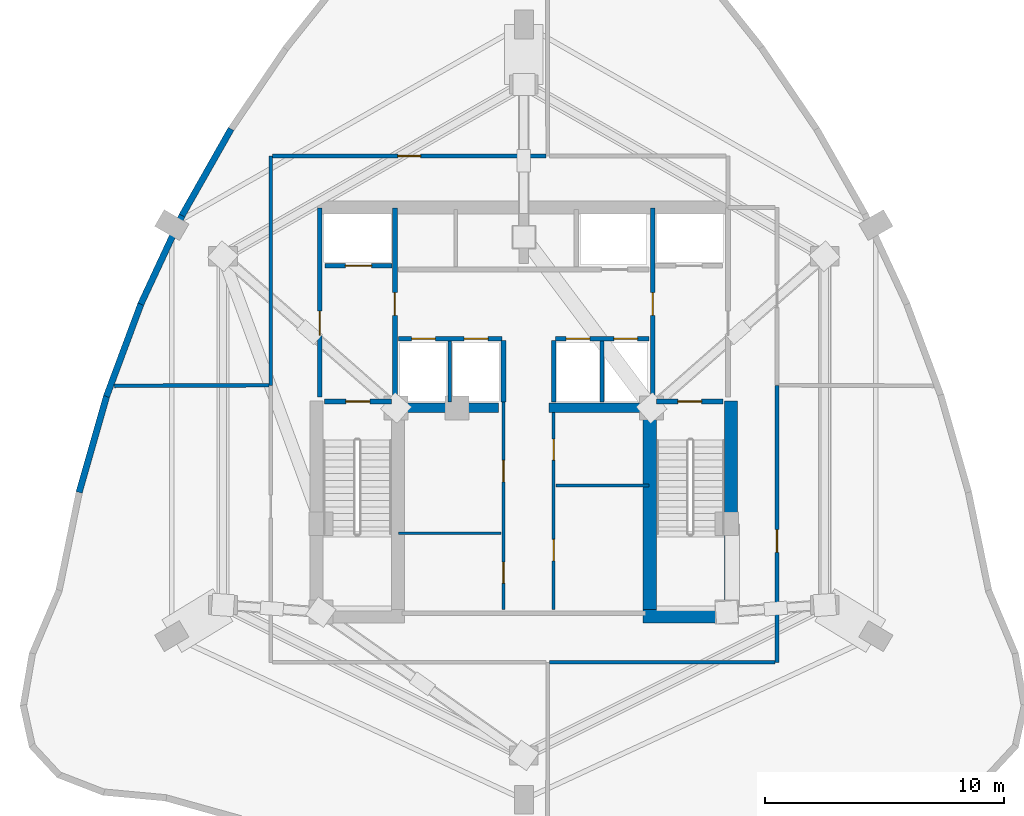
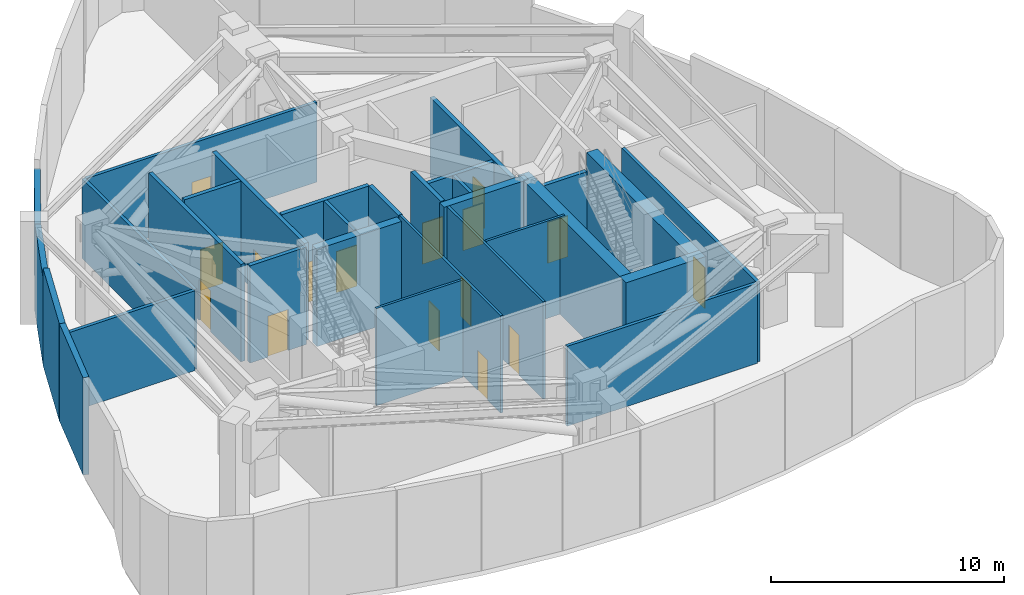
# One storey, part 3 of 5: 30 walls, 16 doors, 16 openings.
"""IFC4 building model written with IfcOpenShell, lengths in metres."""

from ifc_helpers import new_model, si_unit, direction, frame, frame_2d, origin, place, context, subcontext, project, spatial, rectangle, extrude, material, layer, layer_set, type_object, element, fill, save


model = new_model("IFC4")

# Units and contexts
model_context = context("Model", 3, precision=1e-05, world=origin(), true_north=direction((0.0, 1.0)))
body_context = subcontext(model_context, "Body", "Model", "MODEL_VIEW")
ifc_project = project(units=[si_unit("LENGTHUNIT", "METRE"), si_unit("AREAUNIT", "SQUARE_METRE"), si_unit("VOLUMEUNIT", "CUBIC_METRE"), si_unit("PLANEANGLEUNIT", "RADIAN"), si_unit("MASSUNIT", "GRAM", prefix="KILO")], contexts=[model_context])

# Site, building, storey
site_placement = place(None, origin())
site = spatial("IfcSite", under=ifc_project, at=site_placement, CompositionType="ELEMENT")
building_placement = place(site_placement, origin())
building = spatial("IfcBuilding", under=site, at=building_placement, Name="Miruveldt Soraemaru", CompositionType="ELEMENT")
storey_placement = place(building_placement, frame((0.0, 0.0, 184.39990234375)))
storey = spatial("IfcBuildingStorey", under=building, at=storey_placement, Name="L51", CompositionType="ELEMENT", Elevation=184.39990234375)

# Walls
ifc_material_1 = material(Name="Concrete C70/85 (70 MPa)", Category="concrete")
ifc_layer_1 = layer(ifc_material_1, 0.5, Name="Concrete C70/85 (70 MPa)", Category="concrete")
ifc_layer_set_1 = layer_set([ifc_layer_1], Name="Concrete C70/85 (70 MPa)")
wall_type_1 = type_object("IfcWallType", Name="WALL-BW-500", PredefinedType="SHEAR", material=ifc_layer_set_1)
for number, where, z_axis, x_axis, name in (
    (1, (38.75, 44.050048828125, 0.0), (0.0, 0.0, 1.0), (1.0, 0.0, 0.0), "L51 Core Buttress Shear Wall BW"),
    (2, (45.050048828125, 44.050048828125, 0.0), (0.0, 0.0, 1.0), (1.0, 0.0, 0.0), "L51 Core Buttress Shear Wall BE"),
):
    element("IfcWall", number, at=place(storey_placement, frame(where, z_axis=z_axis, x_axis=x_axis)), inside=storey, type_object=wall_type_1, Name=name, PredefinedType="SHEAR", context=body_context, shape_type="SweptSolid", body=[
        extrude(rectangle(XDim=4.199951171875, YDim=0.39990234375, at=frame_2d((2.10009765625, 0.0))), origin(), (0.0, 0.0, 1.0), 5.10009765625),
    ])
ifc_layer_2 = layer(ifc_material_1, 0.550048828125, Name="Concrete C70/85 (70 MPa)", Category="concrete")
ifc_layer_set_2 = layer_set([ifc_layer_2], Name="Concrete C70/85 (70 MPa)")
wall_type_2 = type_object("IfcWallType", Name="WALL-CW-550", PredefinedType="SHEAR", material=ifc_layer_set_2)
wall_1_placement = place(storey_placement, frame((49.0, 35.324951171875, 0.0), z_axis=(0.0, 0.0, 1.0), x_axis=(1.0, 0.0, 0.0)))
element("IfcWall", 3, at=wall_1_placement, inside=storey, type_object=wall_type_2, Name="L51 Central Core Shear Wall S2", PredefinedType="SHEAR", context=body_context, shape_type="SweptSolid", body=[
    extrude(rectangle(XDim=3.949951171875, YDim=0.550048828125, at=frame_2d((1.97509765625, 0.0))), origin(), (0.0, 0.0, 1.0), 5.10009765625),
])
wall_2_placement = place(storey_placement, frame((52.675048828125, 35.050048828125, 0.0), z_axis=(0.0, 0.0, 1.0), x_axis=(0.0, 1.0, 0.0)))
element("IfcWall", 4, at=wall_2_placement, inside=storey, type_object=wall_type_2, Name="L51 Central Core Shear Wall E1", PredefinedType="SHEAR", context=body_context, shape_type="SweptSolid", body=[
    extrude(rectangle(XDim=9.300048828125, YDim=0.550048828125, at=frame_2d((4.64990234375, 0.0))), origin(), (0.0, 0.0, 1.0), 5.10009765625),
])
wall_3_placement = place(storey_placement, frame((49.27490234375, 35.39990234375, 0.0), z_axis=(0.0, 0.0, 1.0), x_axis=(0.0, 1.0, 0.0)))
element("IfcWall", 5, at=wall_3_placement, inside=storey, type_object=wall_type_2, Name="L51 Central Core Shear Wall SE-INT", PredefinedType="SHEAR", context=body_context, shape_type="SweptSolid", body=[
    extrude(rectangle(XDim=8.9501953125, YDim=0.550048828125, at=frame_2d((4.47509765625, 0.0))), origin(), (0.0, 0.0, 1.0), 5.10009765625),
])
ifc_material_2 = material(Name="Precast concrete C45/55 (45 MPa)", Category="concrete")
ifc_layer_3 = layer(ifc_material_2, 0.27001953125, Name="Precast concrete C45/55 (45 MPa)", Category="concrete")
ifc_layer_set_3 = layer_set([ifc_layer_3], Name="Precast concrete C45/55 (45 MPa)")
wall_type_3 = type_object("IfcWallType", Name="WALL-EXT-PC270", PredefinedType="SOLIDWALL", material=ifc_layer_set_3)
wall_4_placement = place(storey_placement, frame((31.741943359375, 55.732421875, 0.0), z_axis=(0.0, 0.0, 1.0), x_axis=(-0.49336591454, -0.869821863585, 0.0)))
element("IfcWall", 6, at=wall_4_placement, inside=storey, type_object=wall_type_3, Name="L51 Precast Concrete Facade Wall 10", PredefinedType="SOLIDWALL", context=body_context, shape_type="SweptSolid", body=[
    extrude(rectangle(XDim=4.166015625, YDim=0.27001953125, at=frame_2d((2.0830078125, 0.0))), origin(), (0.0, 0.0, 1.0), 4.588134765625),
])
wall_5_placement = place(storey_placement, frame((29.71875, 52.170654296875, 0.0), z_axis=(0.0, 0.0, 1.0), x_axis=(-0.422336806268, -0.906438978681, 0.0)))
element("IfcWall", 7, at=wall_5_placement, inside=storey, type_object=wall_type_3, Name="L51 Precast Concrete Facade Wall 11", PredefinedType="SOLIDWALL", context=body_context, shape_type="SweptSolid", body=[
    extrude(rectangle(XDim=4.166259765625, YDim=0.27001953125, at=frame_2d((2.0830078125, 0.0))), origin(), (0.0, 0.0, 1.0), 4.588134765625),
])
wall_6_placement = place(storey_placement, frame((27.986083984375, 48.458740234375, 0.0), z_axis=(0.0, 0.0, 1.0), x_axis=(-0.349022784807, -0.937114238333, 0.0)))
element("IfcWall", 8, at=wall_6_placement, inside=storey, type_object=wall_type_3, Name="L51 Precast Concrete Facade Wall 12", PredefinedType="SOLIDWALL", context=body_context, shape_type="SweptSolid", body=[
    extrude(rectangle(XDim=4.192138671875, YDim=0.27001953125, at=frame_2d((2.09619140625, 0.0))), origin(), (0.0, 0.0, 1.0), 5.10009765625),
])
wall_7_placement = place(storey_placement, frame((26.544921875, 44.5966796875, 0.0), z_axis=(0.0, 0.0, 1.0), x_axis=(-0.274964238992, -0.961454454083, 0.0)))
element("IfcWall", 9, at=wall_7_placement, inside=storey, type_object=wall_type_3, Name="L51 Precast Concrete Facade Wall 13", PredefinedType="SOLIDWALL", context=body_context, shape_type="SweptSolid", body=[
    extrude(rectangle(XDim=4.244140625, YDim=0.27001953125, at=frame_2d((2.1220703125, 0.0))), origin(), (0.0, 0.0, 1.0), 5.10009765625),
])

# Wall, openings, doors
ifc_material_3 = material(Name="Gypsum plasterboard lining", Category="gypsum")
ifc_layer_4 = layer(ifc_material_3, 0.1201171875, Name="Gypsum plasterboard lining", Category="gypsum")
ifc_layer_set_4 = layer_set([ifc_layer_4], Name="Gypsum plasterboard lining")
wall_type_4 = type_object("IfcWallType", Name="WALL-INT-P120", PredefinedType="PARTITIONING", material=ifc_layer_set_4)
wall_8_placement = place(storey_placement, frame((43.14990234375, 35.60009765625, 0.0), z_axis=(0.0, 0.0, 1.0), x_axis=(0.0, 1.0, 0.0)))
wall_8 = element("IfcWall", 10, at=wall_8_placement, inside=storey, type_object=wall_type_4, Name="L51 Core Compartment Wall SP-WL", PredefinedType="PARTITIONING", context=body_context, shape_type="SweptSolid", body=[
    extrude(rectangle(XDim=8.699951171875, YDim=0.1201171875, at=frame_2d((4.35009765625, 0.0))), origin(), (0.0, 0.0, 1.0), 5.10009765625),
])
opening_1_placement = place(wall_8_placement, frame((1.110107421875, 0.0, 0.0)))
opening_1 = element("IfcOpeningElement", 11, at=opening_1_placement, cuts=wall_8, Name="Opening D4", PredefinedType="OPENING", context=body_context, shape_type="SweptSolid", body=[
    extrude(rectangle(XDim=0.8798828125, YDim=2.10009765625, at=frame_2d((0.43994140625, 1.050048828125))), frame((0.0, 0.070068359375, 0.0), z_axis=(0.0, -1.0, 0.0), x_axis=(1.0, 0.0, 0.0)), (0.0, 0.0, 1.0), 0.14013671875),
])
opening_2_placement = place(wall_8_placement, frame((5.35009765625, 0.0, 0.0)))
opening_2 = element("IfcOpeningElement", 12, at=opening_2_placement, cuts=wall_8, Name="Opening D3", PredefinedType="OPENING", context=body_context, shape_type="SweptSolid", body=[
    extrude(rectangle(XDim=0.89990234375, YDim=2.10009765625, at=frame_2d((0.449951171875, 1.050048828125))), frame((0.0, 0.070068359375, 0.0), z_axis=(0.0, -1.0, 0.0), x_axis=(1.0, 0.0, 0.0)), (0.0, 0.0, 1.0), 0.14013671875),
])
ifc_material_4 = material(Name="Anodised aluminium EN AW-6063 T6", Category="aluminium")
door_type_1 = type_object("IfcDoorType", Name="DOOR-INT-880", OperationType="NOTDEFINED", PredefinedType="DOOR", material=ifc_material_4)
door_1_placement = place(opening_1_placement, origin())
door_1 = element("IfcDoor", 13, at=door_1_placement, inside=storey, type_object=door_type_1, Name="L51 Fire Door", OperationType="SINGLE_SWING_LEFT", OverallHeight=2.10009765625, OverallWidth=0.8798828125, PredefinedType="DOOR", context=body_context, shape_type="SweptSolid", body=[
    extrude(rectangle(XDim=0.8798828125, YDim=2.10009765625, at=frame_2d((0.43994140625, 1.050048828125))), frame((0.0, 0.02490234375, 0.0), z_axis=(0.0, -1.0, 0.0), x_axis=(1.0, 0.0, 0.0)), (0.0, 0.0, 1.0), 0.050048828125),
])
fill(opening_1, door_1)
door_type_2 = type_object("IfcDoorType", Name="DOOR-INT-900", OperationType="NOTDEFINED", PredefinedType="DOOR", material=ifc_material_4)
door_2_placement = place(opening_2_placement, origin())
door_2 = element("IfcDoor", 14, at=door_2_placement, inside=storey, type_object=door_type_2, Name="L51 Fire Door", OperationType="SINGLE_SWING_LEFT", OverallHeight=2.10009765625, OverallWidth=0.89990234375, PredefinedType="DOOR", context=body_context, shape_type="SweptSolid", body=[
    extrude(rectangle(XDim=0.89990234375, YDim=2.10009765625, at=frame_2d((0.449951171875, 1.050048828125))), frame((0.0, 0.02490234375, 0.0), z_axis=(0.0, -1.0, 0.0), x_axis=(1.0, 0.0, 0.0)), (0.0, 0.0, 1.0), 0.050048828125),
])
fill(opening_2, door_2)

wall_9_placement = place(storey_placement, frame((45.25, 35.60009765625, 0.0), z_axis=(0.0, 0.0, 1.0), x_axis=(0.0, 1.0, 0.0)))
wall_9 = element("IfcWall", 15, at=wall_9_placement, inside=storey, type_object=wall_type_4, Name="L51 Core Compartment Wall SP-EL", PredefinedType="PARTITIONING", context=body_context, shape_type="SweptSolid", body=[
    extrude(rectangle(XDim=8.25, YDim=0.1201171875, at=frame_2d((4.125, 0.0))), origin(), (0.0, 0.0, 1.0), 5.10009765625),
])
opening_3_placement = place(wall_9_placement, frame((2.050048828125, 0.0, 0.0)))
opening_3 = element("IfcOpeningElement", 16, at=opening_3_placement, cuts=wall_9, Name="Opening D3", PredefinedType="OPENING", context=body_context, shape_type="SweptSolid", body=[
    extrude(rectangle(XDim=0.89990234375, YDim=2.10009765625, at=frame_2d((0.449951171875, 1.050048828125))), frame((0.0, 0.070068359375, 0.0), z_axis=(0.0, -1.0, 0.0), x_axis=(1.0, 0.0, 0.0)), (0.0, 0.0, 1.0), 0.14013671875),
])
opening_4_placement = place(wall_9_placement, frame((6.260009765625, 0.0, 0.0)))
opening_4 = element("IfcOpeningElement", 17, at=opening_4_placement, cuts=wall_9, Name="Opening D4", PredefinedType="OPENING", context=body_context, shape_type="SweptSolid", body=[
    extrude(rectangle(XDim=0.8798828125, YDim=2.10009765625, at=frame_2d((0.43994140625, 1.050048828125))), frame((0.0, 0.070068359375, 0.0), z_axis=(0.0, -1.0, 0.0), x_axis=(1.0, 0.0, 0.0)), (0.0, 0.0, 1.0), 0.14013671875),
])
door_3_placement = place(opening_4_placement, origin())
door_3 = element("IfcDoor", 18, at=door_3_placement, inside=storey, type_object=door_type_1, Name="L51 Fire Door", OperationType="SINGLE_SWING_LEFT", OverallHeight=2.10009765625, OverallWidth=0.8798828125, PredefinedType="DOOR", context=body_context, shape_type="SweptSolid", body=[
    extrude(rectangle(XDim=0.8798828125, YDim=2.10009765625, at=frame_2d((0.43994140625, 1.050048828125))), frame((0.0, 0.02490234375, 0.0), z_axis=(0.0, -1.0, 0.0), x_axis=(1.0, 0.0, 0.0)), (0.0, 0.0, 1.0), 0.050048828125),
])
fill(opening_4, door_3)
door_4_placement = place(opening_3_placement, origin())
door_4 = element("IfcDoor", 19, at=door_4_placement, inside=storey, type_object=door_type_2, Name="L51 Fire Door", OperationType="SINGLE_SWING_LEFT", OverallHeight=2.10009765625, OverallWidth=0.89990234375, PredefinedType="DOOR", context=body_context, shape_type="SweptSolid", body=[
    extrude(rectangle(XDim=0.89990234375, YDim=2.10009765625, at=frame_2d((0.449951171875, 1.050048828125))), frame((0.0, 0.02490234375, 0.0), z_axis=(0.0, -1.0, 0.0), x_axis=(1.0, 0.0, 0.0)), (0.0, 0.0, 1.0), 0.050048828125),
])
fill(opening_3, door_4)

# Walls
wall_10_placement = place(storey_placement, frame((38.75, 38.800048828125, 0.0), z_axis=(0.0, 0.0, 1.0), x_axis=(1.0, 0.0, 0.0)))
element("IfcWall", 20, at=wall_10_placement, inside=storey, type_object=wall_type_4, Name="L51 Core Compartment Wall RL-W2H", PredefinedType="PARTITIONING", context=body_context, shape_type="SweptSolid", body=[
    extrude(rectangle(XDim=4.300048828125, YDim=0.1201171875, at=frame_2d((2.14990234375, 0.0))), origin(), (0.0, 0.0, 1.0), 5.10009765625),
])
wall_11_placement = place(storey_placement, frame((45.35009765625, 40.800048828125, 0.0), z_axis=(0.0, 0.0, 1.0), x_axis=(1.0, 0.0, 0.0)))
element("IfcWall", 21, at=wall_11_placement, inside=storey, type_object=wall_type_4, Name="L51 Core Compartment Wall RL-E2H", PredefinedType="PARTITIONING", context=body_context, shape_type="SweptSolid", body=[
    extrude(rectangle(XDim=3.89990234375, YDim=0.1201171875, at=frame_2d((1.949951171875, 0.0))), origin(), (0.0, 0.0, 1.0), 5.10009765625),
])

# Wall, opening, door
ifc_material_5 = material(Name="Concrete C40/50 (40 MPa)", Category="concrete")
ifc_layer_5 = layer(ifc_material_5, 0.159912109375, Name="Concrete C40/50 (40 MPa)", Category="concrete")
ifc_layer_set_5 = layer_set([ifc_layer_5], Name="Concrete C40/50 (40 MPa)")
wall_type_5 = type_object("IfcWallType", Name="WALL-INT-RC160", PredefinedType="SOLIDWALL", material=ifc_layer_set_5)
wall_12_placement = place(storey_placement, frame((54.60009765625, 33.39990234375, 0.0), z_axis=(0.0, 0.0, 1.0), x_axis=(0.0, 1.0, 0.0)))
wall_12 = element("IfcWall", 22, at=wall_12_placement, inside=storey, type_object=wall_type_5, Name="L51 Partition Wall 4", PredefinedType="SOLIDWALL", context=body_context, shape_type="SweptSolid", body=[
    extrude(rectangle(XDim=11.60009765625, YDim=0.159912109375, at=frame_2d((5.800048828125, 0.0))), origin(), (0.0, 0.0, 1.0), 4.18798828125),
])
opening_5_placement = place(wall_12_placement, frame((4.60498046875, 0.0, 0.0)))
opening_5 = element("IfcOpeningElement", 23, at=opening_5_placement, cuts=wall_12, Name="Opening FD2", PredefinedType="OPENING", context=body_context, shape_type="SweptSolid", body=[
    extrude(rectangle(XDim=0.949951171875, YDim=2.14990234375, at=frame_2d((0.47509765625, 1.074951171875))), frame((0.0, 0.08984375, 0.0), z_axis=(0.0, -1.0, 0.0), x_axis=(1.0, 0.0, 0.0)), (0.0, 0.0, 1.0), 0.179931640625),
])
door_type_3 = type_object("IfcDoorType", Name="DOOR-FD2-950", OperationType="NOTDEFINED", PredefinedType="DOOR", material=ifc_material_4)
door_5_placement = place(opening_5_placement, origin())
door_5 = element("IfcDoor", 24, at=door_5_placement, inside=storey, type_object=door_type_3, Name="L51 Chiller and Heat Exchanger Plant Room Fire Door", OperationType="SINGLE_SWING_LEFT", OverallHeight=2.14990234375, OverallWidth=0.949951171875, PredefinedType="DOOR", context=body_context, shape_type="SweptSolid", body=[
    extrude(rectangle(XDim=0.949951171875, YDim=2.14990234375, at=frame_2d((0.47509765625, 1.074951171875))), frame((0.0, 0.02490234375, 0.0), z_axis=(0.0, -1.0, 0.0), x_axis=(1.0, 0.0, 0.0)), (0.0, 0.0, 1.0), 0.050048828125),
])
fill(opening_5, door_5)

wall_13_placement = place(storey_placement, frame((44.919921875, 54.60009765625, 0.0), z_axis=(0.0, 0.0, 1.0), x_axis=(-1.0, 0.0, 0.0)))
wall_13 = element("IfcWall", 25, at=wall_13_placement, inside=storey, type_object=wall_type_5, Name="L51 Partition Wall 5", PredefinedType="SOLIDWALL", context=body_context, shape_type="SweptSolid", body=[
    extrude(rectangle(XDim=11.43994140625, YDim=0.159912109375, at=frame_2d((5.719970703125, 0.0))), origin(), (0.0, 0.0, 1.0), 4.18798828125),
])
opening_6_placement = place(wall_13_placement, frame((5.2451171875, 0.0, 0.0)))
opening_6 = element("IfcOpeningElement", 26, at=opening_6_placement, cuts=wall_13, Name="Opening FD2", PredefinedType="OPENING", context=body_context, shape_type="SweptSolid", body=[
    extrude(rectangle(XDim=0.949951171875, YDim=2.14990234375, at=frame_2d((0.47509765625, 1.074951171875))), frame((0.0, 0.08984375, 0.0), z_axis=(0.0, -1.0, 0.0), x_axis=(1.0, 0.0, 0.0)), (0.0, 0.0, 1.0), 0.179931640625),
])
door_6_placement = place(opening_6_placement, origin())
door_6 = element("IfcDoor", 27, at=door_6_placement, inside=storey, type_object=door_type_3, Name="L51 Primary Air Handling Fan Plant Room Fire Door", OperationType="SINGLE_SWING_RIGHT", OverallHeight=2.14990234375, OverallWidth=0.949951171875, PredefinedType="DOOR", context=body_context, shape_type="SweptSolid", body=[
    extrude(rectangle(XDim=0.949951171875, YDim=2.14990234375, at=frame_2d((0.47509765625, 1.074951171875))), frame((0.0, 0.02490234375, 0.0), z_axis=(0.0, -1.0, 0.0), x_axis=(1.0, 0.0, 0.0)), (0.0, 0.0, 1.0), 0.050048828125),
])
fill(opening_6, door_6)

# Walls
wall_14_placement = place(storey_placement, frame((33.39990234375, 54.60009765625, 0.0), z_axis=(0.0, 0.0, 1.0), x_axis=(0.0, -1.0, 0.0)))
element("IfcWall", 28, at=wall_14_placement, inside=storey, type_object=wall_type_5, Name="L51 Partition Wall 6", PredefinedType="SOLIDWALL", context=body_context, shape_type="SweptSolid", body=[
    extrude(rectangle(XDim=9.60009765625, YDim=0.159912109375, at=frame_2d((4.800048828125, 0.0))), origin(), (0.0, 0.0, 1.0), 4.18798828125),
])
wall_15_placement = place(storey_placement, frame((45.080078125, 33.39990234375, 0.0), z_axis=(0.0, 0.0, 1.0), x_axis=(1.0, 0.0, 0.0)))
element("IfcWall", 29, at=wall_15_placement, inside=storey, type_object=wall_type_5, Name="L51 Partition Wall 3", PredefinedType="SOLIDWALL", context=body_context, shape_type="SweptSolid", body=[
    extrude(rectangle(XDim=9.43994140625, YDim=0.159912109375, at=frame_2d((4.719970703125, 0.0))), origin(), (0.0, 0.0, 1.0), 4.18798828125),
])
wall_16_placement = place(storey_placement, frame((33.320068359375, 45.0, 0.0), z_axis=(0.0, 0.0, 1.0), x_axis=(-0.999992595258, -0.003848302008, 0.0)))
element("IfcWall", 30, at=wall_16_placement, inside=storey, type_object=wall_type_5, Name="L51 Partition Wall 12", PredefinedType="SOLIDWALL", context=body_context, shape_type="SweptSolid", body=[
    extrude(rectangle(XDim=6.470947265625, YDim=0.159912109375, at=frame_2d((3.2353515625, 0.0))), origin(), (0.0, 0.0, 1.0), 4.18798828125),
])
wall_17_placement = place(storey_placement, frame((40.89990234375, 44.300048828125, 0.0), z_axis=(0.0, 0.0, 1.0), x_axis=(0.0, 1.0, 0.0)))
element("IfcWall", 31, at=wall_17_placement, inside=storey, type_object=wall_type_5, Name="L51 Core Compartment Wall PLM-DW", PredefinedType="SOLIDWALL", context=body_context, shape_type="SweptSolid", body=[
    extrude(rectangle(XDim=2.550048828125, YDim=0.159912109375, at=frame_2d((1.27490234375, 0.0))), origin(), (0.0, 0.0, 1.0), 5.10009765625),
])
wall_18_placement = place(storey_placement, frame((47.280029296875, 44.300048828125, 0.0), z_axis=(0.0, 0.0, 1.0), x_axis=(0.0, 1.0, 0.0)))
element("IfcWall", 32, at=wall_18_placement, inside=storey, type_object=wall_type_5, Name="L51 Core Compartment Wall PLM-DE", PredefinedType="SOLIDWALL", context=body_context, shape_type="SweptSolid", body=[
    extrude(rectangle(XDim=2.550048828125, YDim=0.159912109375, at=frame_2d((1.27490234375, 0.0))), origin(), (0.0, 0.0, 1.0), 4.18798828125),
])

# Wall, opening, door
ifc_layer_6 = layer(ifc_material_5, 0.199951171875, Name="Concrete C40/50 (40 MPa)", Category="concrete")
ifc_layer_set_6 = layer_set([ifc_layer_6], Name="Concrete C40/50 (40 MPa)")
wall_type_6 = type_object("IfcWallType", Name="WALL-INT-RC200", PredefinedType="SOLIDWALL", material=ifc_layer_set_6)
wall_19_placement = place(storey_placement, frame((35.449951171875, 44.5, 0.0), z_axis=(0.0, 0.0, 1.0), x_axis=(0.0, 1.0, 0.0)))
wall_19 = element("IfcWall", 33, at=wall_19_placement, inside=storey, type_object=wall_type_6, Name="L51 Core Compartment Wall FFW-OUT", PredefinedType="SOLIDWALL", context=body_context, shape_type="SweptSolid", body=[
    extrude(rectangle(XDim=7.919921875, YDim=0.199951171875, at=frame_2d((3.9599609375, 0.0))), origin(), (0.0, 0.0, 1.0), 5.10009765625),
])
opening_7_placement = place(wall_19_placement, frame((2.60009765625, 0.0, 0.0)))
opening_7 = element("IfcOpeningElement", 34, at=opening_7_placement, cuts=wall_19, Name="Opening FD1", PredefinedType="OPENING", context=body_context, shape_type="SweptSolid", body=[
    extrude(rectangle(XDim=1.0, YDim=2.14990234375, at=frame_2d((0.5, 1.074951171875))), frame((0.0, 0.10986328125, 0.0), z_axis=(0.0, -1.0, 0.0), x_axis=(1.0, 0.0, 0.0)), (0.0, 0.0, 1.0), 0.219970703125),
])
door_type_4 = type_object("IfcDoorType", Name="DOOR-FD1-1000", OperationType="NOTDEFINED", PredefinedType="DOOR", material=ifc_material_4)
door_7_placement = place(opening_7_placement, origin())
door_7 = element("IfcDoor", 35, at=door_7_placement, inside=storey, type_object=door_type_4, Name="L51 West Firefighting Lobby Exit Door", OperationType="SINGLE_SWING_LEFT", OverallHeight=2.14990234375, OverallWidth=1.0, PredefinedType="DOOR", context=body_context, shape_type="SweptSolid", body=[
    extrude(rectangle(XDim=1.0, YDim=2.14990234375, at=frame_2d((0.5, 1.074951171875))), frame((0.0, 0.02490234375, 0.0), z_axis=(0.0, -1.0, 0.0), x_axis=(1.0, 0.0, 0.0)), (0.0, 0.0, 1.0), 0.050048828125),
])
fill(opening_7, door_7)

wall_20_placement = place(storey_placement, frame((38.60009765625, 44.5, 0.0), z_axis=(0.0, 0.0, 1.0), x_axis=(0.0, 1.0, 0.0)))
wall_20 = element("IfcWall", 36, at=wall_20_placement, inside=storey, type_object=wall_type_6, Name="L51 Core Compartment Wall FFW-IN", PredefinedType="SOLIDWALL", context=body_context, shape_type="SweptSolid", body=[
    extrude(rectangle(XDim=7.919921875, YDim=0.199951171875, at=frame_2d((3.9599609375, 0.0))), origin(), (0.0, 0.0, 1.0), 5.10009765625),
])
opening_8_placement = place(wall_20_placement, frame((3.425048828125, 0.0, 0.0)))
opening_8 = element("IfcOpeningElement", 37, at=opening_8_placement, cuts=wall_20, Name="Opening FD2", PredefinedType="OPENING", context=body_context, shape_type="SweptSolid", body=[
    extrude(rectangle(XDim=0.949951171875, YDim=2.14990234375, at=frame_2d((0.47509765625, 1.074951171875))), frame((0.0, 0.10986328125, 0.0), z_axis=(0.0, -1.0, 0.0), x_axis=(1.0, 0.0, 0.0)), (0.0, 0.0, 1.0), 0.219970703125),
])
door_8_placement = place(opening_8_placement, frame((0.949951171875, 0.0, 0.0), z_axis=(0.0, 0.0, 1.0), x_axis=(-1.0, 0.0, 0.0)))
door_8 = element("IfcDoor", 38, at=door_8_placement, inside=storey, type_object=door_type_3, Name="L51 Lift Lobby to West Fire Lobby Door", OperationType="SINGLE_SWING_RIGHT", OverallHeight=2.14990234375, OverallWidth=0.949951171875, PredefinedType="DOOR", context=body_context, shape_type="SweptSolid", body=[
    extrude(rectangle(XDim=0.949951171875, YDim=2.14990234375, at=frame_2d((0.47509765625, 1.074951171875))), frame((0.0, 0.02490234375, 0.0), z_axis=(0.0, -1.0, 0.0), x_axis=(1.0, 0.0, 0.0)), (0.0, 0.0, 1.0), 0.050048828125),
])
fill(opening_8, door_8)

wall_21_placement = place(storey_placement, frame((49.39990234375, 44.5, 0.0), z_axis=(0.0, 0.0, 1.0), x_axis=(0.0, 1.0, 0.0)))
wall_21 = element("IfcWall", 39, at=wall_21_placement, inside=storey, type_object=wall_type_6, Name="L51 Core Compartment Wall FFE-IN", PredefinedType="SOLIDWALL", context=body_context, shape_type="SweptSolid", body=[
    extrude(rectangle(XDim=7.919921875, YDim=0.199951171875, at=frame_2d((3.9599609375, 0.0))), origin(), (0.0, 0.0, 1.0), 4.18798828125),
])
opening_9_placement = place(wall_21_placement, frame((3.425048828125, 0.0, 0.0)))
opening_9 = element("IfcOpeningElement", 40, at=opening_9_placement, cuts=wall_21, Name="Opening FD2", PredefinedType="OPENING", context=body_context, shape_type="SweptSolid", body=[
    extrude(rectangle(XDim=0.949951171875, YDim=2.14990234375, at=frame_2d((0.47509765625, 1.074951171875))), frame((0.0, 0.10986328125, 0.0), z_axis=(0.0, -1.0, 0.0), x_axis=(1.0, 0.0, 0.0)), (0.0, 0.0, 1.0), 0.219970703125),
])
door_9_placement = place(opening_9_placement, origin())
door_9 = element("IfcDoor", 41, at=door_9_placement, inside=storey, type_object=door_type_3, Name="L51 Lift Lobby to East Fire Lobby Door", OperationType="SINGLE_SWING_LEFT", OverallHeight=2.14990234375, OverallWidth=0.949951171875, PredefinedType="DOOR", context=body_context, shape_type="SweptSolid", body=[
    extrude(rectangle(XDim=0.949951171875, YDim=2.14990234375, at=frame_2d((0.47509765625, 1.074951171875))), frame((0.0, 0.02490234375, 0.0), z_axis=(0.0, -1.0, 0.0), x_axis=(1.0, 0.0, 0.0)), (0.0, 0.0, 1.0), 0.050048828125),
])
fill(opening_9, door_9)

# Wall, openings, doors
wall_22_placement = place(storey_placement, frame((38.75, 46.949951171875, 0.0), z_axis=(0.0, 0.0, 1.0), x_axis=(1.0, 0.0, 0.0)))
wall_22 = element("IfcWall", 42, at=wall_22_placement, inside=storey, type_object=wall_type_6, Name="L51 Core Compartment Wall MBW-N", PredefinedType="SOLIDWALL", context=body_context, shape_type="SweptSolid", body=[
    extrude(rectangle(XDim=4.330078125, YDim=0.199951171875, at=frame_2d((2.1650390625, 0.0))), origin(), (0.0, 0.0, 1.0), 5.10009765625),
])
opening_10_placement = place(wall_22_placement, frame((0.550048828125, 0.0, 0.0)))
opening_10 = element("IfcOpeningElement", 43, at=opening_10_placement, cuts=wall_22, Name="Opening LD1B", PredefinedType="OPENING", context=body_context, shape_type="SweptSolid", body=[
    extrude(rectangle(XDim=1.0, YDim=2.14990234375, at=frame_2d((0.5, 1.074951171875))), frame((0.0, 0.10986328125, 0.0), z_axis=(0.0, -1.0, 0.0), x_axis=(1.0, 0.0, 0.0)), (0.0, 0.0, 1.0), 0.219970703125),
])
opening_11_placement = place(wall_22_placement, frame((2.75, 0.0, 0.0)))
opening_11 = element("IfcOpeningElement", 44, at=opening_11_placement, cuts=wall_22, Name="Opening LD1B", PredefinedType="OPENING", context=body_context, shape_type="SweptSolid", body=[
    extrude(rectangle(XDim=1.0, YDim=2.14990234375, at=frame_2d((0.5, 1.074951171875))), frame((0.0, 0.10986328125, 0.0), z_axis=(0.0, -1.0, 0.0), x_axis=(1.0, 0.0, 0.0)), (0.0, 0.0, 1.0), 0.219970703125),
])
door_type_5 = type_object("IfcDoorType", Name="DOOR-LD1-1000", OperationType="SLIDING_TO_LEFT", PredefinedType="DOOR", material=ifc_material_4)
door_10_placement = place(opening_10_placement, origin())
door_10 = element("IfcDoor", 45, at=door_10_placement, inside=storey, type_object=door_type_5, Name="L51 PL-M1 Landing Door", OperationType="SLIDING_TO_LEFT", OverallHeight=2.14990234375, OverallWidth=1.0, PredefinedType="DOOR", context=body_context, shape_type="SweptSolid", body=[
    extrude(rectangle(XDim=1.0, YDim=2.14990234375, at=frame_2d((0.5, 1.074951171875))), frame((0.0, 0.02490234375, 0.0), z_axis=(0.0, -1.0, 0.0), x_axis=(1.0, 0.0, 0.0)), (0.0, 0.0, 1.0), 0.050048828125),
])
fill(opening_10, door_10)
door_11_placement = place(opening_11_placement, origin())
door_11 = element("IfcDoor", 46, at=door_11_placement, inside=storey, type_object=door_type_5, Name="L51 PL-M2 Landing Door", OperationType="SLIDING_TO_LEFT", OverallHeight=2.14990234375, OverallWidth=1.0, PredefinedType="DOOR", context=body_context, shape_type="SweptSolid", body=[
    extrude(rectangle(XDim=1.0, YDim=2.14990234375, at=frame_2d((0.5, 1.074951171875))), frame((0.0, 0.02490234375, 0.0), z_axis=(0.0, -1.0, 0.0), x_axis=(1.0, 0.0, 0.0)), (0.0, 0.0, 1.0), 0.050048828125),
])
fill(opening_11, door_11)

wall_23_placement = place(storey_placement, frame((45.320068359375, 46.949951171875, 0.0), z_axis=(0.0, 0.0, 1.0), x_axis=(1.0, 0.0, 0.0)))
wall_23 = element("IfcWall", 47, at=wall_23_placement, inside=storey, type_object=wall_type_6, Name="L51 Core Compartment Wall MBE-N", PredefinedType="SOLIDWALL", context=body_context, shape_type="SweptSolid", body=[
    extrude(rectangle(XDim=3.929931640625, YDim=0.199951171875, at=frame_2d((1.96484375, 0.0))), origin(), (0.0, 0.0, 1.0), 4.18798828125),
])
opening_12_placement = place(wall_23_placement, frame((0.449951171875, 0.0, 0.0)))
opening_12 = element("IfcOpeningElement", 48, at=opening_12_placement, cuts=wall_23, Name="Opening LD1B", PredefinedType="OPENING", context=body_context, shape_type="SweptSolid", body=[
    extrude(rectangle(XDim=1.0, YDim=2.14990234375, at=frame_2d((0.5, 1.074951171875))), frame((0.0, 0.10986328125, 0.0), z_axis=(0.0, -1.0, 0.0), x_axis=(1.0, 0.0, 0.0)), (0.0, 0.0, 1.0), 0.219970703125),
])
opening_13_placement = place(wall_23_placement, frame((2.449951171875, 0.0, 0.0)))
opening_13 = element("IfcOpeningElement", 49, at=opening_13_placement, cuts=wall_23, Name="Opening LD1B", PredefinedType="OPENING", context=body_context, shape_type="SweptSolid", body=[
    extrude(rectangle(XDim=1.0, YDim=2.14990234375, at=frame_2d((0.5, 1.074951171875))), frame((0.0, 0.10986328125, 0.0), z_axis=(0.0, -1.0, 0.0), x_axis=(1.0, 0.0, 0.0)), (0.0, 0.0, 1.0), 0.219970703125),
])
door_12_placement = place(opening_12_placement, origin())
door_12 = element("IfcDoor", 50, at=door_12_placement, inside=storey, type_object=door_type_5, Name="L51 PL-M3 Landing Door", OperationType="SLIDING_TO_LEFT", OverallHeight=2.14990234375, OverallWidth=1.0, PredefinedType="DOOR", context=body_context, shape_type="SweptSolid", body=[
    extrude(rectangle(XDim=1.0, YDim=2.14990234375, at=frame_2d((0.5, 1.074951171875))), frame((0.0, 0.02490234375, 0.0), z_axis=(0.0, -1.0, 0.0), x_axis=(1.0, 0.0, 0.0)), (0.0, 0.0, 1.0), 0.050048828125),
])
fill(opening_12, door_12)
door_13_placement = place(opening_13_placement, origin())
door_13 = element("IfcDoor", 51, at=door_13_placement, inside=storey, type_object=door_type_5, Name="L51 PL-M4 Landing Door", OperationType="SLIDING_TO_LEFT", OverallHeight=2.14990234375, OverallWidth=1.0, PredefinedType="DOOR", context=body_context, shape_type="SweptSolid", body=[
    extrude(rectangle(XDim=1.0, YDim=2.14990234375, at=frame_2d((0.5, 1.074951171875))), frame((0.0, 0.02490234375, 0.0), z_axis=(0.0, -1.0, 0.0), x_axis=(1.0, 0.0, 0.0)), (0.0, 0.0, 1.0), 0.050048828125),
])
fill(opening_13, door_13)

# Wall, opening, door
wall_24_placement = place(storey_placement, frame((35.64990234375, 44.320068359375, 0.0), z_axis=(0.0, 0.0, 1.0), x_axis=(1.0, 0.0, 0.0)))
wall_24 = element("IfcWall", 52, at=wall_24_placement, inside=storey, type_object=wall_type_6, Name="L51 Core Compartment Wall ST1-N", PredefinedType="SOLIDWALL", context=body_context, shape_type="SweptSolid", body=[
    extrude(rectangle(XDim=2.800048828125, YDim=0.199951171875, at=frame_2d((1.39990234375, 0.0))), origin(), (0.0, 0.0, 1.0), 5.10009765625),
])
opening_14_placement = place(wall_24_placement, frame((0.89990234375, 0.0, 0.0)))
opening_14 = element("IfcOpeningElement", 53, at=opening_14_placement, cuts=wall_24, Name="Opening FD1", PredefinedType="OPENING", context=body_context, shape_type="SweptSolid", body=[
    extrude(rectangle(XDim=1.0, YDim=2.14990234375, at=frame_2d((0.5, 1.074951171875))), frame((0.0, 0.10986328125, 0.0), z_axis=(0.0, -1.0, 0.0), x_axis=(1.0, 0.0, 0.0)), (0.0, 0.0, 1.0), 0.219970703125),
])
door_14_placement = place(opening_14_placement, frame((1.0, 0.0, 0.0), z_axis=(0.0, 0.0, 1.0), x_axis=(-1.0, 0.0, 0.0)))
door_14 = element("IfcDoor", 54, at=door_14_placement, inside=storey, type_object=door_type_4, Name="L51 Stair ST-1 Fire Door", OperationType="SINGLE_SWING_LEFT", OverallHeight=2.14990234375, OverallWidth=1.0, PredefinedType="DOOR", context=body_context, shape_type="SweptSolid", body=[
    extrude(rectangle(XDim=1.0, YDim=2.14990234375, at=frame_2d((0.5, 1.074951171875))), frame((0.0, 0.02490234375, 0.0), z_axis=(0.0, -1.0, 0.0), x_axis=(1.0, 0.0, 0.0)), (0.0, 0.0, 1.0), 0.050048828125),
])
fill(opening_14, door_14)

wall_25_placement = place(storey_placement, frame((49.550048828125, 44.320068359375, 0.0), z_axis=(0.0, 0.0, 1.0), x_axis=(1.0, 0.0, 0.0)))
wall_25 = element("IfcWall", 55, at=wall_25_placement, inside=storey, type_object=wall_type_6, Name="L51 Core Compartment Wall ST2-N", PredefinedType="SOLIDWALL", context=body_context, shape_type="SweptSolid", body=[
    extrude(rectangle(XDim=2.800048828125, YDim=0.199951171875, at=frame_2d((1.39990234375, 0.0))), origin(), (0.0, 0.0, 1.0), 4.18798828125),
])
opening_15_placement = place(wall_25_placement, frame((0.89990234375, 0.0, 0.0)))
opening_15 = element("IfcOpeningElement", 56, at=opening_15_placement, cuts=wall_25, Name="Opening FD1", PredefinedType="OPENING", context=body_context, shape_type="SweptSolid", body=[
    extrude(rectangle(XDim=1.0, YDim=2.14990234375, at=frame_2d((0.5, 1.074951171875))), frame((0.0, 0.10986328125, 0.0), z_axis=(0.0, -1.0, 0.0), x_axis=(1.0, 0.0, 0.0)), (0.0, 0.0, 1.0), 0.219970703125),
])
door_15_placement = place(opening_15_placement, frame((1.0, 0.0, 0.0), z_axis=(0.0, 0.0, 1.0), x_axis=(-1.0, 0.0, 0.0)))
door_15 = element("IfcDoor", 57, at=door_15_placement, inside=storey, type_object=door_type_4, Name="L51 Stair ST-2 Fire Door", OperationType="SINGLE_SWING_RIGHT", OverallHeight=2.14990234375, OverallWidth=1.0, PredefinedType="DOOR", context=body_context, shape_type="SweptSolid", body=[
    extrude(rectangle(XDim=1.0, YDim=2.14990234375, at=frame_2d((0.5, 1.074951171875))), frame((0.0, 0.02490234375, 0.0), z_axis=(0.0, -1.0, 0.0), x_axis=(1.0, 0.0, 0.0)), (0.0, 0.0, 1.0), 0.050048828125),
])
fill(opening_15, door_15)

wall_26_placement = place(storey_placement, frame((35.679931640625, 50.0, 0.0), z_axis=(0.0, 0.0, 1.0), x_axis=(1.0, 0.0, 0.0)))
wall_26 = element("IfcWall", 58, at=wall_26_placement, inside=storey, type_object=wall_type_6, Name="L51 Core Compartment Wall FFL1-S", PredefinedType="SOLIDWALL", context=body_context, shape_type="SweptSolid", body=[
    extrude(rectangle(XDim=2.800048828125, YDim=0.199951171875, at=frame_2d((1.39990234375, 0.0))), origin(), (0.0, 0.0, 1.0), 5.10009765625),
])
opening_16_placement = place(wall_26_placement, frame((0.85009765625, 0.0, 0.0)))
opening_16 = element("IfcOpeningElement", 59, at=opening_16_placement, cuts=wall_26, Name="Opening LD2", PredefinedType="OPENING", context=body_context, shape_type="SweptSolid", body=[
    extrude(rectangle(XDim=1.10009765625, YDim=2.14990234375, at=frame_2d((0.550048828125, 1.074951171875))), frame((0.0, 0.10986328125, 0.0), z_axis=(0.0, -1.0, 0.0), x_axis=(1.0, 0.0, 0.0)), (0.0, 0.0, 1.0), 0.219970703125),
])
door_type_6 = type_object("IfcDoorType", Name="DOOR-LD2-1100", OperationType="SLIDING_TO_LEFT", PredefinedType="DOOR", material=ifc_material_4)
door_16_placement = place(opening_16_placement, origin())
door_16 = element("IfcDoor", 60, at=door_16_placement, inside=storey, type_object=door_type_6, Name="L51 FFL-1 Landing Door", OperationType="SLIDING_TO_LEFT", OverallHeight=2.14990234375, OverallWidth=1.10009765625, PredefinedType="DOOR", context=body_context, shape_type="SweptSolid", body=[
    extrude(rectangle(XDim=1.10009765625, YDim=2.14990234375, at=frame_2d((0.550048828125, 1.074951171875))), frame((0.0, 0.02490234375, 0.0), z_axis=(0.0, -1.0, 0.0), x_axis=(1.0, 0.0, 0.0)), (0.0, 0.0, 1.0), 0.050048828125),
])
fill(opening_16, door_16)

# Walls
for number, where, z_axis, x_axis, name in (
    (61, (43.14990234375, 44.300048828125, 0.0), (0.0, 0.0, 1.0), (0.0, 1.0, 0.0), "L51 Core Compartment Wall SP-WB"),
    (62, (45.25, 44.300048828125, 0.0), (0.0, 0.0, 1.0), (0.0, 1.0, 0.0), "L51 Core Compartment Wall SP-EB"),
):
    element("IfcWall", number, at=place(storey_placement, frame(where, z_axis=z_axis, x_axis=x_axis)), inside=storey, type_object=wall_type_6, Name=name, PredefinedType="SOLIDWALL", context=body_context, shape_type="SweptSolid", body=[
        extrude(rectangle(XDim=2.579833984375, YDim=0.199951171875, at=frame_2d((1.2900390625, 0.0))), origin(), (0.0, 0.0, 1.0), 5.10009765625),
    ])

save(model, "model.ifc")
